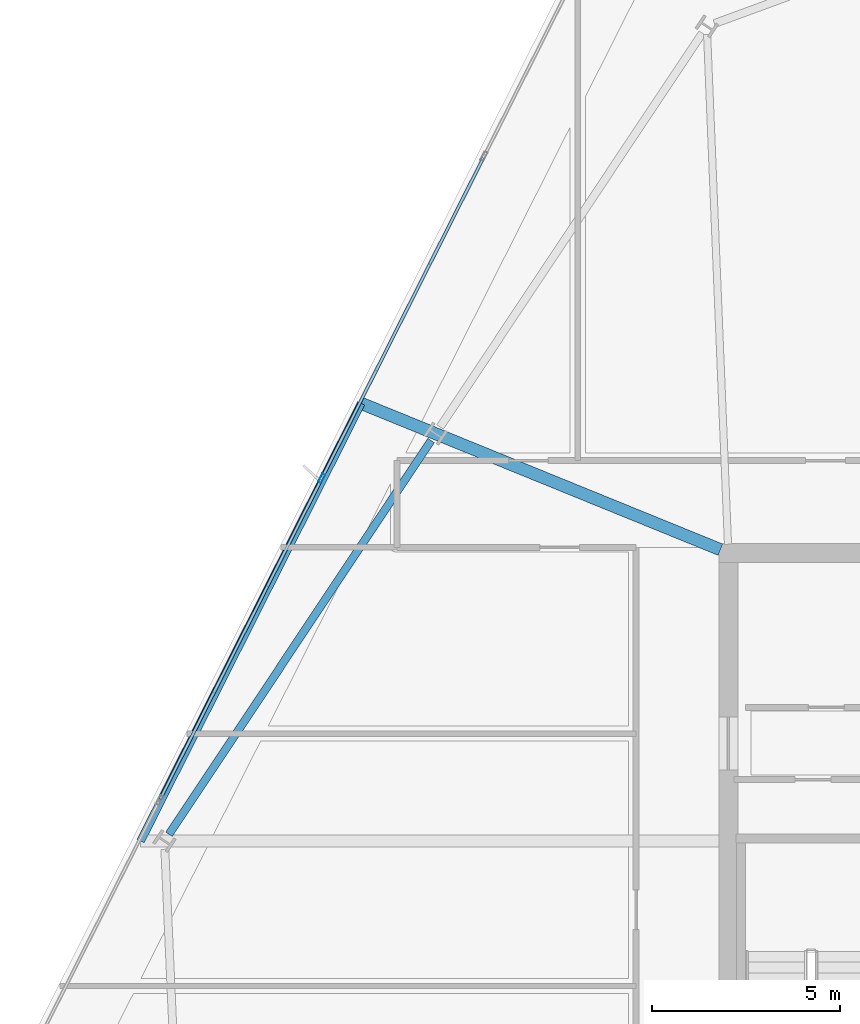
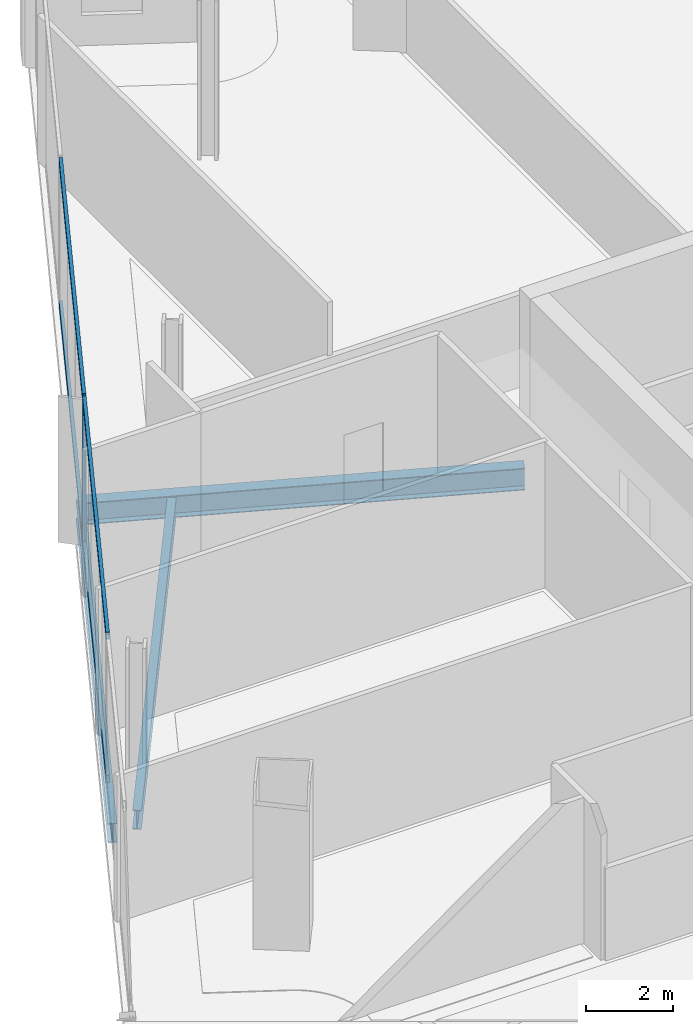
# One storey, part 13 of 27: 5 members, 3 beams, 1 element without a shape of its own.
"""IFC4 building model written with IfcOpenShell, lengths in metres."""

from ifc_helpers import new_model, si_unit, direction, frame, origin, origin_2d, place, context, subcontext, project, spatial, hollow_rectangle, i_section, extrude, material, material_profile, profile_set, type_object, element, aggregate, save


model = new_model("IFC4")

# Units and contexts
model_context = context("Model", 3, precision=1e-05, world=origin(), true_north=direction((0.0, 1.0)))
body_context = subcontext(model_context, "Body", "Model", "MODEL_VIEW")
ifc_project = project(units=[si_unit("LENGTHUNIT", "METRE"), si_unit("AREAUNIT", "SQUARE_METRE"), si_unit("VOLUMEUNIT", "CUBIC_METRE"), si_unit("PLANEANGLEUNIT", "RADIAN"), si_unit("MASSUNIT", "GRAM", prefix="KILO")], contexts=[model_context])

# Site, building, storey
site_placement = place(None, origin())
site = spatial("IfcSite", under=ifc_project, at=site_placement, CompositionType="ELEMENT")
building_placement = place(site_placement, origin())
building = spatial("IfcBuilding", under=site, at=building_placement, Name="Haldenkirk Collegiate Tower", CompositionType="ELEMENT")
storey_placement = place(building_placement, frame((0.0, 0.0, 239.699951171875)))
storey = spatial("IfcBuildingStorey", under=building, at=storey_placement, Name="L60", CompositionType="ELEMENT", Elevation=239.699951171875)

# Beams
ifc_material_1 = material(Name="Steel ASTM A992 Grade 50", Category="steel")
ifc_material_profile_1 = material_profile(ifc_material_1, i_section(OverallWidth=0.324951171875, OverallDepth=0.615966796875, WebThickness=0.013916015625, FlangeThickness=0.021484375, at=origin_2d()), Name="W24X117")
ifc_profile_set_1 = profile_set([ifc_material_profile_1], Name="Steel ASTM A992 Grade 50")
beam_type_1 = type_object("IfcBeamType", Name="BM-GIRDER-W24X117", PredefinedType="BEAM", material=ifc_profile_set_1)
beam_1_placement = place(storey_placement, frame((17.251220703125, 37.969970703125, -0.657958984375), z_axis=(0.926149731029, -0.377156036297, 0.0), x_axis=(0.377156036297, 0.926149731029, 0.0)))
element("IfcBeam", 1, at=beam_1_placement, inside=storey, type_object=beam_type_1, Name="L60 primary floor girder 12", PredefinedType="BEAM", context=body_context, shape_type="SweptSolid", body=[
    extrude(i_section(OverallWidth=0.324951171875, OverallDepth=0.615966796875, WebThickness=0.013916015625, FlangeThickness=0.021484375, at=origin_2d()), origin(), (0.0, 0.0, 1.0), 10.29638671875),
])
ifc_material_profile_2 = material_profile(ifc_material_1, i_section(OverallWidth=0.2099609375, OverallDepth=0.537109375, WebThickness=0.010986328125, FlangeThickness=0.017333984375, at=origin_2d()), Name="W21X68")
ifc_profile_set_2 = profile_set([ifc_material_profile_2], Name="Steel ASTM A992 Grade 50")
beam_type_2 = type_object("IfcBeamType", Name="BM-SPANDREL-W21X68", PredefinedType="SPANDREL", material=ifc_profile_set_2)
beam_2_placement = place(storey_placement, frame((19.106201171875, 36.98486328125, -0.618408203125), z_axis=(-0.554117024454, -0.832438780458, 0.0), x_axis=(0.832438780458, -0.554117024454, 0.0)))
element("IfcBeam", 2, at=beam_2_placement, inside=storey, type_object=beam_type_2, Name="L60 perimeter spandrel beam 11", PredefinedType="SPANDREL", context=body_context, shape_type="SweptSolid", body=[
    extrude(i_section(OverallWidth=0.2099609375, OverallDepth=0.537109375, WebThickness=0.010986328125, FlangeThickness=0.017333984375, at=origin_2d()), origin(), (0.0, 0.0, 1.0), 12.562255859375),
])
beam_3_placement = place(storey_placement, frame((17.251220703125, 37.969970703125, -0.618408203125), z_axis=(-0.450114842667, -0.89297067612, 0.0), x_axis=(0.89297067612, -0.450114842667, 0.0)))
element("IfcBeam", 3, at=beam_3_placement, inside=storey, type_object=beam_type_2, Name="L60 outer facade edge beam 3", PredefinedType="SPANDREL", context=body_context, shape_type="SweptSolid", body=[
    extrude(i_section(OverallWidth=0.2099609375, OverallDepth=0.537109375, WebThickness=0.010986328125, FlangeThickness=0.017333984375, at=origin_2d()), origin(), (0.0, 0.0, 1.0), 13.015869140625),
])

# Curtain wall, members
ifc_material_2 = material(Name="Anodised architectural bronze aluminium", Category="aluminium")
curtain_wall_type = type_object("IfcCurtainWallType", Name="CW-SYS1B-CONVEX-HI", PredefinedType="USERDEFINED", material=ifc_material_2)
curtain_wall_placement = place(storey_placement, origin())
curtain_wall = element("IfcCurtainWall", 4, at=curtain_wall_placement, inside=storey, type_object=curtain_wall_type, Name="L60 Upper tower high-wind convex bronze unitised curtain wall", ObjectType="UNITISED CURTAIN WALL", PredefinedType="USERDEFINED")
ifc_material_profile_3 = material_profile(ifc_material_2, hollow_rectangle(XDim=0.0849609375, YDim=0.25, WallThickness=0.0048828125, at=origin_2d()), Name="CW-MUL-1B")
ifc_profile_set_3 = profile_set([ifc_material_profile_3], Name="Anodised architectural bronze aluminium")
member_type_1 = type_object("IfcMemberType", Name="CW-MUL-1B", PredefinedType="MULLION", material=ifc_profile_set_3)
member_1_placement = place(storey_placement, frame((16.20263671875, 35.978759765625, 0.0), z_axis=(0.0, 0.0, 1.0), x_axis=(-0.892978136904, 0.450100041114, 0.0)))
member_1 = element("IfcMember", 5, at=member_1_placement, type_object=member_type_1, Name="CW-1B mullion 3", PredefinedType="MULLION", context=body_context, shape_type="SweptSolid", body=[
    extrude(hollow_rectangle(XDim=0.0849609375, YDim=0.25, WallThickness=0.0048828125, at=origin_2d()), origin(), (0.0, 0.0, 1.0), 4.10009765625),
])
ifc_material_profile_4 = material_profile(ifc_material_2, hollow_rectangle(XDim=0.0849609375, YDim=0.199951171875, WallThickness=0.0048828125, at=origin_2d()), Name="CW-TRN-1B")
ifc_profile_set_4 = profile_set([ifc_material_profile_4], Name="Anodised architectural bronze aluminium")
member_type_2 = type_object("IfcMemberType", Name="CW-TRN-1B", PredefinedType="USERDEFINED", material=ifc_profile_set_4)
member_2_placement = place(storey_placement, frame((11.912109375, 27.46630859375, 0.04248046875), z_axis=(0.450082351264, 0.892987053143, 0.0), x_axis=(-0.892987053143, 0.450082351264, 0.0)))
member_2 = element("IfcMember", 6, at=member_2_placement, type_object=member_type_2, Name="CW-1B transom 2.1", ObjectType="TRANSOM", PredefinedType="USERDEFINED", context=body_context, shape_type="SweptSolid", body=[
    extrude(hollow_rectangle(XDim=0.0849609375, YDim=0.199951171875, WallThickness=0.0048828125, at=origin_2d()), origin(), (0.0, 0.0, 1.0), 9.489990234375),
])
member_3_placement = place(storey_placement, frame((11.912109375, 27.46630859375, 4.0576171875), z_axis=(0.450082351264, 0.892987053143, 0.0), x_axis=(-0.892987053143, 0.450082351264, 0.0)))
member_3 = element("IfcMember", 7, at=member_3_placement, type_object=member_type_2, Name="CW-1B transom 2.2", ObjectType="TRANSOM", PredefinedType="USERDEFINED", context=body_context, shape_type="SweptSolid", body=[
    extrude(hollow_rectangle(XDim=0.0849609375, YDim=0.199951171875, WallThickness=0.0048828125, at=origin_2d()), origin(), (0.0, 0.0, 1.0), 9.489990234375),
])
member_4_placement = place(storey_placement, frame((16.2216796875, 36.0166015625, 0.04248046875), z_axis=(0.450102865759, 0.892976713154, 0.0), x_axis=(-0.892976713154, 0.450102865759, 0.0)))
member_4 = element("IfcMember", 8, at=member_4_placement, type_object=member_type_2, Name="CW-1B transom 3.1", ObjectType="TRANSOM", PredefinedType="USERDEFINED", context=body_context, shape_type="SweptSolid", body=[
    extrude(hollow_rectangle(XDim=0.0849609375, YDim=0.199951171875, WallThickness=0.0048828125, at=origin_2d()), origin(), (0.0, 0.0, 1.0), 9.489990234375),
])
member_5_placement = place(storey_placement, frame((16.2216796875, 36.0166015625, 4.0576171875), z_axis=(0.450102865759, 0.892976713154, 0.0), x_axis=(-0.892976713154, 0.450102865759, 0.0)))
member_5 = element("IfcMember", 9, at=member_5_placement, type_object=member_type_2, Name="CW-1B transom 3.2", ObjectType="TRANSOM", PredefinedType="USERDEFINED", context=body_context, shape_type="SweptSolid", body=[
    extrude(hollow_rectangle(XDim=0.0849609375, YDim=0.199951171875, WallThickness=0.0048828125, at=origin_2d()), origin(), (0.0, 0.0, 1.0), 9.489990234375),
])
aggregate(curtain_wall, [member_1, member_2, member_3, member_4, member_5])

save(model, "model.ifc")
